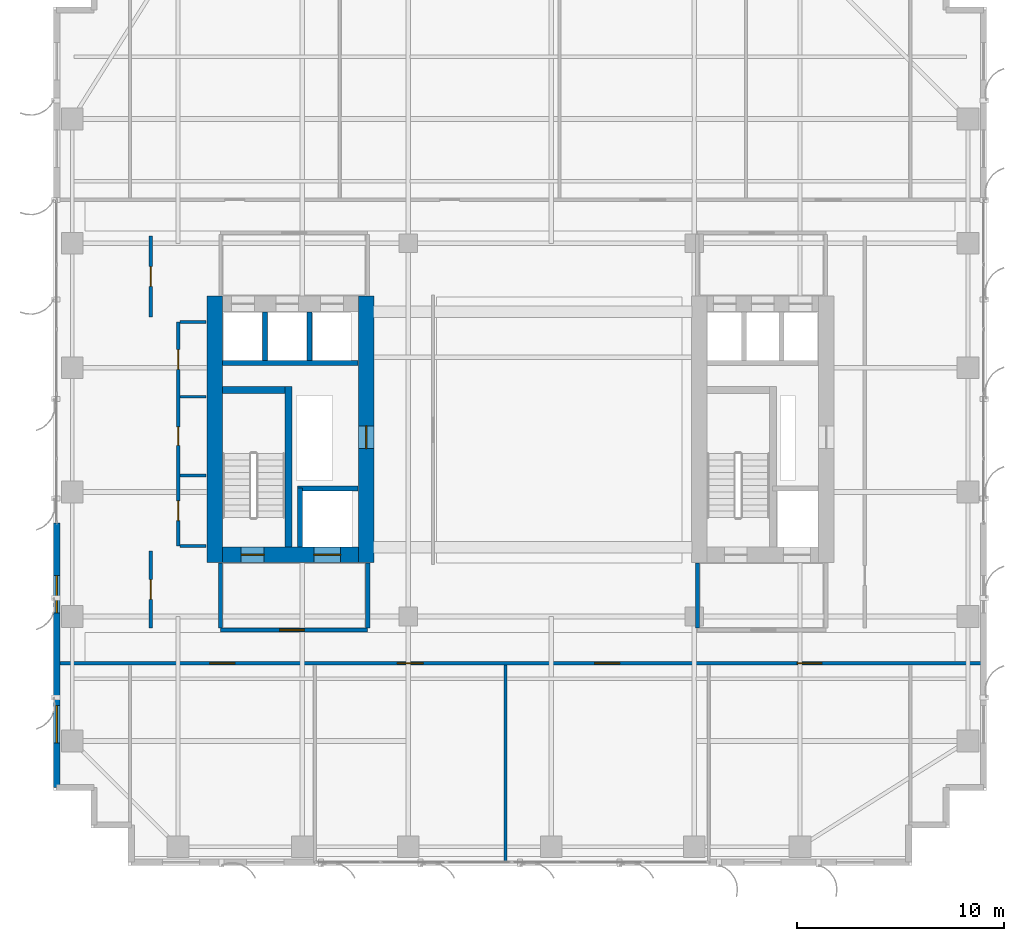
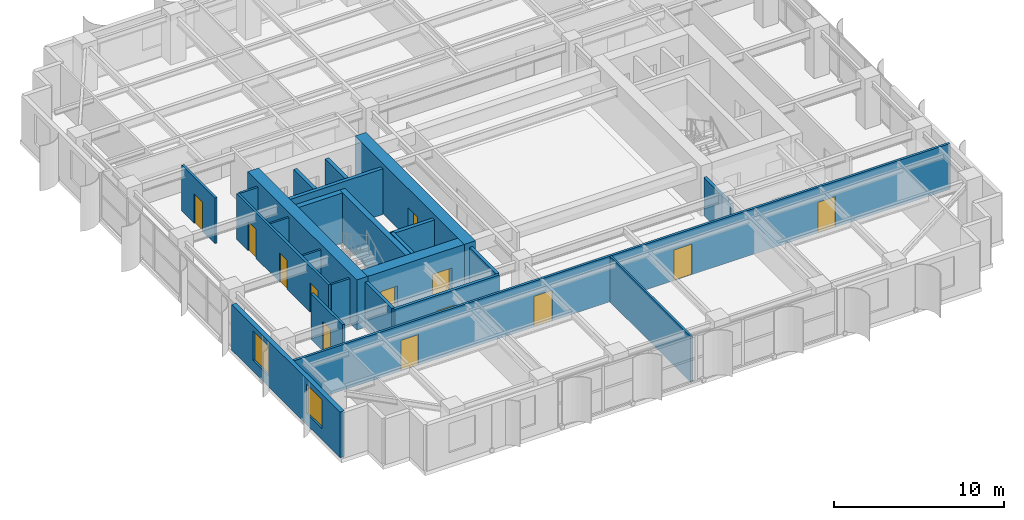
# One storey, part 22 of 28: 24 walls, 13 doors, 2 windows, 15 openings.
"""IFC4 building model written with IfcOpenShell, lengths in metres."""

import ifcopenshell
import ifcopenshell.guid

model = None  # the IFC model being written
_history = None  # IfcOwnerHistory: only IFC2X3 demands one
_inside = {}  # id of a spatial element -> (the spatial element, [elements in it])
_under = {}  # id of a project, library or spatial element -> (it, [spatial elements below it])
_declared = {}  # id of a project -> (the project, [libraries it declares])
_typed = {}  # id of a type object -> (the type object, [elements of that type])
_made_of = {}  # id of a material, layer set ... -> (it, [elements and type objects made of it])


def new_model(schema):
    """Start an empty IFC model of exactly this schema.

    Asked for "IFC4X3", IfcOpenShell would pick the latest addendum, in which some entities
    have other attributes; the version numbers below select the first issue.
    IFC2X3 requires an IfcOwnerHistory on every rooted entity: one is made here for all.
    """
    global model, _history
    if schema == "IFC4X3":
        model = ifcopenshell.file(schema_version=(4, 3, 0, 0))
    else:
        model = ifcopenshell.file(schema=schema)
    _inside.clear()
    _under.clear()
    _declared.clear()
    _typed.clear()
    _made_of.clear()
    _history = None
    if model.schema == "IFC2X3":
        org = make("IfcOrganization", Name="unknown")
        user = make(
            "IfcPersonAndOrganization",
            ThePerson=make("IfcPerson", FamilyName="unknown"),
            TheOrganization=org,
        )
        app = make(
            "IfcApplication",
            ApplicationDeveloper=org,
            Version="unknown",
            ApplicationFullName="unknown",
            ApplicationIdentifier="unknown",
        )
        _history = make(
            "IfcOwnerHistory",
            OwningUser=user,
            OwningApplication=app,
            ChangeAction="ADDED",
            CreationDate=0,
        )
    return model


def make(cls, **values):
    """One entity of the class cls with the attributes given. An attribute that is None is left unset."""
    return model.create_entity(
        cls, **{name: value for name, value in values.items() if value is not None}
    )


def rooted(cls, **values):
    """An entity with a GlobalId (a new one), such as an element, a storey or a relation."""
    return make(cls, GlobalId=ifcopenshell.guid.new(), OwnerHistory=_history, **values)


def si_unit(unit_type, name, prefix=None):
    """IfcSIUnit, for example si_unit("LENGTHUNIT", "METRE", prefix="MILLI")."""
    return make("IfcSIUnit", UnitType=unit_type, Prefix=prefix, Name=name)


def assignment(units):
    """IfcUnitAssignment: the units of a project."""
    return None if units is None else make("IfcUnitAssignment", Units=units)


def point(xyz):
    """IfcCartesianPoint."""
    return None if xyz is None else make("IfcCartesianPoint", Coordinates=xyz)


def direction(xyz):
    """IfcDirection."""
    return None if xyz is None else make("IfcDirection", DirectionRatios=xyz)


def frame(location, z_axis=None, x_axis=None):
    """IfcAxis2Placement3D, a coordinate frame: its origin and axes. An axis left out is left unset."""
    return make(
        "IfcAxis2Placement3D",
        Location=point(location),
        Axis=direction(z_axis),
        RefDirection=direction(x_axis),
    )


def frame_2d(location, x_axis=None):
    """IfcAxis2Placement2D, a coordinate frame in the plane: its origin and x axis."""
    return make(
        "IfcAxis2Placement2D", Location=point(location), RefDirection=direction(x_axis)
    )


def origin():
    """The frame at (0, 0, 0) with its axes left unset."""
    return frame((0.0, 0.0, 0.0))


def place(relative_to, where):
    """IfcLocalPlacement: puts the frame where relative to a parent placement (None: the world)."""
    return make(
        "IfcLocalPlacement", PlacementRelTo=relative_to, RelativePlacement=where
    )


def context(
    kind, dimensions, precision=None, world=None, true_north=None, identifier=None
):
    """IfcGeometricRepresentationContext, for example the 3D "Model" context."""
    return make(
        "IfcGeometricRepresentationContext",
        ContextIdentifier=identifier,
        ContextType=kind,
        CoordinateSpaceDimension=dimensions,
        Precision=precision,
        WorldCoordinateSystem=world,
        TrueNorth=true_north,
    )


def subcontext(parent, identifier, kind, view, scale=None):
    """IfcGeometricRepresentationSubContext, for example "Body" below "Model"."""
    return make(
        "IfcGeometricRepresentationSubContext",
        ContextIdentifier=identifier,
        ContextType=kind,
        ParentContext=parent,
        TargetScale=scale,
        TargetView=view,
    )


def project(units=None, contexts=None):
    """IfcProject with its units and contexts."""
    return rooted(
        "IfcProject",
        Name="project",
        RepresentationContexts=contexts,
        UnitsInContext=assignment(units),
    )


def spatial(cls, under=None, at=None, **own):
    """A site, building, storey or space (cls), placed at a placement, below another one or the project."""
    s = rooted(cls, ObjectPlacement=at, **own)
    if under is not None:
        _under.setdefault(under.id(), (under, []))[1].append(s)
    return s


def profile(cls, at=None, kind="AREA", **sizes):
    """A parametric profile (cls). Its sizes go by their IFC names, for example OverallWidth=200.0."""
    return make(cls, ProfileType=kind, Position=at, **sizes)


def rectangle(**sizes):
    """IfcRectangleProfileDef."""
    return profile("IfcRectangleProfileDef", **sizes)


def extrude(swept, where, along, depth):
    """IfcExtrudedAreaSolid: the profile swept, set in the frame where, extruded along a direction by depth."""
    return make(
        "IfcExtrudedAreaSolid",
        SweptArea=swept,
        Position=where,
        ExtrudedDirection=direction(along),
        Depth=depth,
    )


def shape(context_of_items, identifier, shape_type, items):
    """IfcShapeRepresentation: the items that make up one representation, for example the "Body"."""
    return make(
        "IfcShapeRepresentation",
        ContextOfItems=context_of_items,
        RepresentationIdentifier=identifier,
        RepresentationType=shape_type,
        Items=items,
    )


def source(mapping_origin, context_of_items, identifier, shape_type, items):
    """IfcRepresentationMap: a shape defined once, which mapped items show again and again."""
    return make(
        "IfcRepresentationMap",
        MappingOrigin=mapping_origin,
        MappedRepresentation=shape(context_of_items, identifier, shape_type, items),
    )


def transform(
    local_origin,
    x_axis=None,
    y_axis=None,
    z_axis=None,
    scale=None,
    scale2=None,
    scale3=None,
    uniform=True,
):
    """IfcCartesianTransformationOperator3D, or its non-uniform kind. x_axis, y_axis, z_axis: its Axis1, 2, 3."""
    if uniform:
        return make(
            "IfcCartesianTransformationOperator3D",
            Axis1=direction(x_axis),
            Axis2=direction(y_axis),
            LocalOrigin=point(local_origin),
            Scale=scale,
            Axis3=direction(z_axis),
        )
    return make(
        "IfcCartesianTransformationOperator3DnonUniform",
        Axis1=direction(x_axis),
        Axis2=direction(y_axis),
        LocalOrigin=point(local_origin),
        Scale=scale,
        Axis3=direction(z_axis),
        Scale2=scale2,
        Scale3=scale3,
    )


def mapped(mapping_source, mapping_target):
    """IfcMappedItem: shows the shape of a source again, moved by a transform."""
    return make(
        "IfcMappedItem", MappingSource=mapping_source, MappingTarget=mapping_target
    )


def material(Name=None, Category=None):
    """IfcMaterial."""
    return make("IfcMaterial", Name=Name, Category=Category)


def layer(
    of_material, thickness, ventilated=None, Name=None, Category=None, Priority=None
):
    """IfcMaterialLayer: one layer of a wall or slab, of a material (None: an air gap)."""
    return make(
        "IfcMaterialLayer",
        Material=of_material,
        LayerThickness=thickness,
        IsVentilated=ventilated,
        Name=Name,
        Category=Category,
        Priority=Priority,
    )


def layer_set(layers, Name=None):
    """IfcMaterialLayerSet."""
    return make("IfcMaterialLayerSet", MaterialLayers=layers, LayerSetName=Name)


def made_of(thing, what):
    """Note that an element or type object is made of a material, layer set ...; save() writes the relation."""
    if what is not None:
        _made_of.setdefault(what.id(), (what, []))[1].append(thing)
    return thing


def type_object(cls, material=None, **own):
    """A type object (cls), such as IfcWallType, which elements share."""
    return made_of(rooted(cls, **own), material)


def element(
    cls,
    number,
    at=None,
    inside=None,
    cuts=None,
    type_object=None,
    material=None,
    context=None,
    identifier="Body",
    shape_type=None,
    held_by="IfcProductDefinitionShape",
    body=None,
    shapes=None,
    **own,
):
    """One element of the class cls, such as IfcWall. Its Tag is "e" and its number.

    at: its placement. inside: the storey or other place that contains it. cuts: it is an
    opening in that element (IfcRelVoidsElement). A single representation is given by context,
    identifier, shape_type and body (its items); several are given by shapes. held_by: the class
    of the entity that holds the representations. save() writes the other relations.
    """
    e = rooted(cls, Tag="e%d" % number, ObjectPlacement=at, **own)
    if body is not None:
        shapes = [shape(context, identifier, shape_type, body)]
    if shapes is not None:
        e.Representation = make(held_by, Representations=shapes)
    if inside is not None:
        _inside.setdefault(inside.id(), (inside, []))[1].append(e)
    if cuts is not None:
        rooted(
            "IfcRelVoidsElement", RelatingBuildingElement=cuts, RelatedOpeningElement=e
        )
    if type_object is not None:
        _typed.setdefault(type_object.id(), (type_object, []))[1].append(e)
    return made_of(e, material)


def fill(opening, filler):
    """IfcRelFillsElement: the door or window that sits in an opening."""
    return rooted(
        "IfcRelFillsElement",
        RelatingOpeningElement=opening,
        RelatedBuildingElement=filler,
    )


def aggregate(whole, parts):
    """IfcRelAggregates: a whole, such as a stair, and the parts it consists of."""
    return rooted("IfcRelAggregates", RelatingObject=whole, RelatedObjects=parts)


def save(model, path):
    """Write the relations noted so far, then the file.

    IfcRelAggregates (storeys below a building ...), IfcRelContainedInSpatialStructure (elements
    in a storey), IfcRelDefinesByType, IfcRelAssociatesMaterial and IfcRelDeclares: one each for
    every whole, place, type object, material and project.
    """
    for whole, parts in _under.values():
        aggregate(whole, parts)
    for where, things in _inside.values():
        rooted(
            "IfcRelContainedInSpatialStructure",
            RelatedElements=things,
            RelatingStructure=where,
        )
    for kind, things in _typed.values():
        rooted("IfcRelDefinesByType", RelatedObjects=things, RelatingType=kind)
    for what, things in _made_of.values():
        rooted("IfcRelAssociatesMaterial", RelatedObjects=things, RelatingMaterial=what)
    for by, libraries in _declared.values():
        rooted("IfcRelDeclares", RelatingContext=by, RelatedDefinitions=libraries)
    model.write(path)


model = new_model("IFC4")

# Units and contexts
model_context = context("Model", 3, precision=1e-05, world=origin(), true_north=direction((0.0, 1.0)))
body_context = subcontext(model_context, "Body", "Model", "MODEL_VIEW")
ifc_project = project(units=[si_unit("LENGTHUNIT", "METRE"), si_unit("AREAUNIT", "SQUARE_METRE"), si_unit("VOLUMEUNIT", "CUBIC_METRE"), si_unit("PLANEANGLEUNIT", "RADIAN"), si_unit("MASSUNIT", "GRAM", prefix="KILO")], contexts=[model_context])

# Site, building, storey
site_placement = place(None, origin())
site = spatial("IfcSite", under=ifc_project, at=site_placement, CompositionType="ELEMENT")
building_placement = place(site_placement, origin())
building = spatial("IfcBuilding", under=site, at=building_placement, Name="Khoralis Quay Care Tower", CompositionType="ELEMENT")
storey_placement = place(building_placement, frame((0.0, 0.0, 144.89990234375)))
storey = spatial("IfcBuildingStorey", under=building, at=storey_placement, Name="L38", CompositionType="ELEMENT", Elevation=144.89990234375)

# Wall, opening, door
ifc_material_1 = material(Name="Gypsum plasterboard on acoustic metal stud")
ifc_layer_1 = layer(ifc_material_1, 0.199951171875)
ifc_layer_set_1 = layer_set([ifc_layer_1], Name="Gypsum plasterboard on acoustic metal stud")
wall_type_1 = type_object("IfcWallType", Name="WL-COMP-200", PredefinedType="PARTITIONING", material=ifc_layer_set_1)
wall_1_placement = place(storey_placement, frame((8.050048828125, 11.35009765625, 0.0), z_axis=(0.0, 0.0, 1.0), x_axis=(1.0, 0.0, 0.0)))
wall_1 = element("IfcWall", 1, at=wall_1_placement, inside=storey, type_object=wall_type_1, Name="L38 West Firefighting Lobby South Wall", PredefinedType="PARTITIONING", context=body_context, shape_type="SweptSolid", body=[
    extrude(rectangle(XDim=7.099853515625, YDim=0.199951171875, at=frame_2d((3.5498046875, 0.0))), origin(), (0.0, 0.0, 1.0), 3.280029296875),
])
opening_1_placement = place(wall_1_placement, frame((2.846435546875, 0.0, 0.0)))
opening_1 = element("IfcOpeningElement", 2, at=opening_1_placement, cuts=wall_1, Name="Opening FD1", PredefinedType="OPENING", context=body_context, shape_type="SweptSolid", body=[
    extrude(rectangle(XDim=1.199951171875, YDim=2.199951171875, at=frame_2d((0.60009765625, 1.10009765625))), frame((0.0, 0.10986328125, 0.0), z_axis=(0.0, -1.0, 0.0), x_axis=(1.0, 0.0, 0.0)), (0.0, 0.0, 1.0), 0.219970703125),
])
ifc_material_2 = material(Name="Fire-rated painted steel", Category="steel")
door_type_1 = type_object("IfcDoorType", Name="DR-FFL-1200X2200", OperationType="NOTDEFINED", PredefinedType="DOOR", material=ifc_material_2)
shared_shape_1 = source(origin(), body_context, "Body", "SweptSolid", [
    extrude(rectangle(XDim=1.199951171875, YDim=2.199951171875, at=frame_2d((0.60009765625, 1.10009765625))), frame((0.0, 0.02490234375, 0.0), z_axis=(0.0, -1.0, 0.0), x_axis=(1.0, 0.0, 0.0)), (0.0, 0.0, 1.0), 0.050048828125),
])
door_1_placement = place(opening_1_placement, origin())
door_1 = element("IfcDoor", 3, at=door_1_placement, inside=storey, type_object=door_type_1, Name="L38 West Firefighting Lobby Fire Door", OperationType="SINGLE_SWING_RIGHT", OverallHeight=2.199951171875, OverallWidth=1.199951171875, PredefinedType="DOOR", context=body_context, shape_type="MappedRepresentation", body=[
    mapped(shared_shape_1, transform((0.0, 0.0, 0.0), scale=1.0)),
])
fill(opening_1, door_1)

# Walls
for number, where, z_axis, x_axis, name in (
    (4, (8.050048828125, 11.445068359375, 0.0), (0.0, 0.0, 1.0), (0.0, 1.0, 0.0), "L38 West Firefighting Lobby West Wall"),
    (5, (15.14990234375, 11.445068359375, 0.0), (0.0, 0.0, 1.0), (0.0, 1.0, 0.0), "L38 West Firefighting Lobby East Wall"),
):
    element("IfcWall", number, at=place(storey_placement, frame(where, z_axis=z_axis, x_axis=x_axis)), inside=storey, type_object=wall_type_1, Name=name, PredefinedType="PARTITIONING", context=body_context, shape_type="SweptSolid", body=[
        extrude(rectangle(XDim=3.135009765625, YDim=0.199951171875, at=frame_2d((1.5673828125, 0.0))), origin(), (0.0, 0.0, 1.0), 3.280029296875),
    ])
wall_2_placement = place(storey_placement, frame((31.050048828125, 11.445068359375, 0.0), z_axis=(0.0, 0.0, 1.0), x_axis=(0.0, 1.0, 0.0)))
element("IfcWall", 6, at=wall_2_placement, inside=storey, type_object=wall_type_1, Name="L38 East Firefighting Lobby West Wall", PredefinedType="PARTITIONING", context=body_context, shape_type="SweptSolid", body=[
    extrude(rectangle(XDim=3.135009765625, YDim=0.199951171875, at=frame_2d((1.5673828125, 0.0))), origin(), (0.0, 0.0, 1.0), 2.736083984375),
])
ifc_material_3 = material(Name="Concrete C80/95", Category="concrete")
ifc_layer_2 = layer(ifc_material_3, 0.75)
ifc_layer_set_2 = layer_set([ifc_layer_2], Name="Concrete C80/95")
wall_type_2 = type_object("IfcWallType", Name="WL-CORE-750", PredefinedType="SHEAR", material=ifc_layer_set_2)
wall_3_placement = place(storey_placement, frame((7.77490234375, 14.60009765625, 0.0), z_axis=(0.0, 0.0, 1.0), x_axis=(0.0, 1.0, 0.0)))
element("IfcWall", 7, at=wall_3_placement, inside=storey, type_object=wall_type_2, Name="L38 WCORE West Shear Wall", PredefinedType="SHEAR", context=body_context, shape_type="SweptSolid", body=[
    extrude(rectangle(XDim=12.849853515625, YDim=0.75, at=frame_2d((6.4248046875, 0.0))), origin(), (0.0, 0.0, 1.0), 3.60009765625),
])

# Wall, opening, door
wall_4_placement = place(storey_placement, frame((15.074951171875, 14.60009765625, 0.0), z_axis=(0.0, 0.0, 1.0), x_axis=(0.0, 1.0, 0.0)))
wall_4 = element("IfcWall", 8, at=wall_4_placement, inside=storey, type_object=wall_type_2, Name="L38 WCORE East Shear Wall", PredefinedType="SHEAR", context=body_context, shape_type="SweptSolid", body=[
    extrude(rectangle(XDim=12.849853515625, YDim=0.75, at=frame_2d((6.4248046875, 0.0))), origin(), (0.0, 0.0, 1.0), 3.60009765625),
])
opening_2_placement = place(wall_4_placement, frame((5.5, 0.0, 0.0)))
opening_2 = element("IfcOpeningElement", 9, at=opening_2_placement, cuts=wall_4, Name="Opening SD1", PredefinedType="OPENING", context=body_context, shape_type="SweptSolid", body=[
    extrude(rectangle(XDim=1.10009765625, YDim=2.199951171875, at=frame_2d((0.550048828125, 1.10009765625))), frame((0.0, 0.385009765625, 0.0), z_axis=(0.0, -1.0, 0.0), x_axis=(1.0, 0.0, 0.0)), (0.0, 0.0, 1.0), 0.77001953125),
])
door_type_2 = type_object("IfcDoorType", Name="DR-STAIR-1100X2200", OperationType="NOTDEFINED", PredefinedType="DOOR", material=ifc_material_2)
shared_shape_2 = source(origin(), body_context, "Body", "SweptSolid", [
    extrude(rectangle(XDim=1.10009765625, YDim=2.199951171875, at=frame_2d((0.550048828125, 1.10009765625))), frame((0.0, 0.02490234375, 0.0), z_axis=(0.0, -1.0, 0.0), x_axis=(1.0, 0.0, 0.0)), (0.0, 0.0, 1.0), 0.050048828125),
])
door_2_placement = place(opening_2_placement, origin())
door_2 = element("IfcDoor", 10, at=door_2_placement, inside=storey, type_object=door_type_2, Name="L38 West MEP Riser Door", OperationType="SINGLE_SWING_RIGHT", OverallHeight=2.199951171875, OverallWidth=1.10009765625, PredefinedType="DOOR", context=body_context, shape_type="MappedRepresentation", body=[
    mapped(shared_shape_2, transform((0.0, 0.0, 0.0), scale=1.0)),
])
fill(opening_2, door_2)

# Wall, openings, doors
wall_5_placement = place(storey_placement, frame((8.14990234375, 14.97509765625, 0.0), z_axis=(0.0, 0.0, 1.0), x_axis=(1.0, 0.0, 0.0)))
wall_5 = element("IfcWall", 11, at=wall_5_placement, inside=storey, type_object=wall_type_2, Name="L38 WCORE South Shear Wall", PredefinedType="SHEAR", context=body_context, shape_type="SweptSolid", body=[
    extrude(rectangle(XDim=6.550048828125, YDim=0.75, at=frame_2d((3.27490234375, 0.0))), origin(), (0.0, 0.0, 1.0), 3.60009765625),
])
opening_3_placement = place(wall_5_placement, frame((0.89990234375, 0.0, 0.0)))
opening_3 = element("IfcOpeningElement", 12, at=opening_3_placement, cuts=wall_5, Name="Opening SD1", PredefinedType="OPENING", context=body_context, shape_type="SweptSolid", body=[
    extrude(rectangle(XDim=1.10009765625, YDim=2.199951171875, at=frame_2d((0.550048828125, 1.10009765625))), frame((0.0, 0.385009765625, 0.0), z_axis=(0.0, -1.0, 0.0), x_axis=(1.0, 0.0, 0.0)), (0.0, 0.0, 1.0), 0.77001953125),
])
opening_4_placement = place(wall_5_placement, frame((4.39990234375, 0.0, 0.0)))
opening_4 = element("IfcOpeningElement", 13, at=opening_4_placement, cuts=wall_5, Name="Opening LD2", PredefinedType="OPENING", context=body_context, shape_type="SweptSolid", body=[
    extrude(rectangle(XDim=1.300048828125, YDim=2.199951171875, at=frame_2d((0.64990234375, 1.10009765625))), frame((0.0, 0.385009765625, 0.0), z_axis=(0.0, -1.0, 0.0), x_axis=(1.0, 0.0, 0.0)), (0.0, 0.0, 1.0), 0.77001953125),
])
door_3_placement = place(opening_3_placement, origin())
door_3 = element("IfcDoor", 14, at=door_3_placement, inside=storey, type_object=door_type_2, Name="L38 Stair ST-T1 Fire Door", OperationType="SINGLE_SWING_RIGHT", OverallHeight=2.199951171875, OverallWidth=1.10009765625, PredefinedType="DOOR", context=body_context, shape_type="MappedRepresentation", body=[
    mapped(shared_shape_2, transform((0.0, 0.0, 0.0), scale=1.0)),
])
fill(opening_3, door_3)
ifc_material_4 = material(Name="Brushed stainless steel", Category="steel")
door_type_3 = type_object("IfcDoorType", Name="DR-LIFT-1300X2200", OperationType="SLIDING_TO_RIGHT", PredefinedType="DOOR", material=ifc_material_4)
shared_shape_3 = source(origin(), body_context, "Body", "SweptSolid", [
    extrude(rectangle(XDim=1.300048828125, YDim=2.199951171875, at=frame_2d((0.64990234375, 1.10009765625))), frame((0.0, 0.02490234375, 0.0), z_axis=(0.0, -1.0, 0.0), x_axis=(1.0, 0.0, 0.0)), (0.0, 0.0, 1.0), 0.050048828125),
])
door_4_placement = place(opening_4_placement, origin())
door_4 = element("IfcDoor", 15, at=door_4_placement, inside=storey, type_object=door_type_3, Name="L38 Firefighting Lift FFL-1 Landing Door", OperationType="SLIDING_TO_RIGHT", OverallHeight=2.199951171875, OverallWidth=1.300048828125, PredefinedType="DOOR", context=body_context, shape_type="MappedRepresentation", body=[
    mapped(shared_shape_3, transform((0.0, 0.0, 0.0), scale=1.0)),
])
fill(opening_4, door_4)

ifc_layer_3 = layer(ifc_material_1, 0.1650390625)
ifc_layer_set_3 = layer_set([ifc_layer_3], Name="Gypsum plasterboard on acoustic metal stud")
wall_type_3 = type_object("IfcWallType", Name="WL-CORR-165", PredefinedType="PARTITIONING", material=ifc_layer_set_3)
wall_6_placement = place(storey_placement, frame((6.02001953125, 15.39990234375, 0.0), z_axis=(0.0, 0.0, 1.0), x_axis=(0.0, 1.0, 0.0)))
wall_6 = element("IfcWall", 16, at=wall_6_placement, inside=storey, type_object=wall_type_3, Name="L38 West Core Service Flank Wall", PredefinedType="PARTITIONING", context=body_context, shape_type="SweptSolid", body=[
    extrude(rectangle(XDim=10.800048828125, YDim=0.1650390625, at=frame_2d((5.39990234375, 0.0))), origin(), (0.0, 0.0, 1.0), 3.280029296875),
])
opening_5_placement = place(wall_6_placement, frame((1.22509765625, 0.0, 0.0)))
opening_5 = element("IfcOpeningElement", 17, at=opening_5_placement, cuts=wall_6, Name="Opening ID1", PredefinedType="OPENING", context=body_context, shape_type="SweptSolid", body=[
    extrude(rectangle(XDim=0.949951171875, YDim=2.10009765625, at=frame_2d((0.47509765625, 1.050048828125))), frame((0.0, 0.092529296875, 0.0), z_axis=(0.0, -1.0, 0.0), x_axis=(1.0, 0.0, 0.0)), (0.0, 0.0, 1.0), 0.18505859375),
])
opening_6_placement = place(wall_6_placement, frame((4.85009765625, 0.0, 0.0)))
opening_6 = element("IfcOpeningElement", 18, at=opening_6_placement, cuts=wall_6, Name="Opening WD1", PredefinedType="OPENING", context=body_context, shape_type="SweptSolid", body=[
    extrude(rectangle(XDim=0.89990234375, YDim=2.10009765625, at=frame_2d((0.449951171875, 1.050048828125))), frame((0.0, 0.092529296875, 0.0), z_axis=(0.0, -1.0, 0.0), x_axis=(1.0, 0.0, 0.0)), (0.0, 0.0, 1.0), 0.18505859375),
])
opening_7_placement = place(wall_6_placement, frame((8.52490234375, 0.0, 0.0)))
opening_7 = element("IfcOpeningElement", 19, at=opening_7_placement, cuts=wall_6, Name="Opening ID1", PredefinedType="OPENING", context=body_context, shape_type="SweptSolid", body=[
    extrude(rectangle(XDim=0.949951171875, YDim=2.10009765625, at=frame_2d((0.47509765625, 1.050048828125))), frame((0.0, 0.092529296875, 0.0), z_axis=(0.0, -1.0, 0.0), x_axis=(1.0, 0.0, 0.0)), (0.0, 0.0, 1.0), 0.18505859375),
])
ifc_material_5 = material(Name="Acoustic hardwood timber", Category="wood")
door_type_4 = type_object("IfcDoorType", Name="DR-BATH-900X2100", OperationType="NOTDEFINED", PredefinedType="DOOR", material=ifc_material_5)
shared_shape_4 = source(origin(), body_context, "Body", "SweptSolid", [
    extrude(rectangle(XDim=0.89990234375, YDim=2.10009765625, at=frame_2d((0.449951171875, 1.050048828125))), frame((0.0, 0.02490234375, 0.0), z_axis=(0.0, -1.0, 0.0), x_axis=(1.0, 0.0, 0.0)), (0.0, 0.0, 1.0), 0.050048828125),
])
door_5_placement = place(opening_6_placement, frame((0.89990234375, 0.0, 0.0), z_axis=(0.0, 0.0, 1.0), x_axis=(-1.0, 0.0, 0.0)))
door_5 = element("IfcDoor", 20, at=door_5_placement, inside=storey, type_object=door_type_4, Name="L38 Public Accessible WC Door", OperationType="SINGLE_SWING_RIGHT", OverallHeight=2.10009765625, OverallWidth=0.89990234375, PredefinedType="DOOR", context=body_context, shape_type="MappedRepresentation", body=[
    mapped(shared_shape_4, transform((0.0, 0.0, 0.0), scale=1.0)),
])
fill(opening_6, door_5)
door_type_5 = type_object("IfcDoorType", Name="DR-ROOM-950X2100", OperationType="NOTDEFINED", PredefinedType="DOOR", material=ifc_material_5)
shared_shape_5 = source(origin(), body_context, "Body", "SweptSolid", [
    extrude(rectangle(XDim=0.949951171875, YDim=2.10009765625, at=frame_2d((0.47509765625, 1.050048828125))), frame((0.0, 0.02490234375, 0.0), z_axis=(0.0, -1.0, 0.0), x_axis=(1.0, 0.0, 0.0)), (0.0, 0.0, 1.0), 0.050048828125),
])
door_6_placement = place(opening_5_placement, frame((0.949951171875, 0.0, 0.0), z_axis=(0.0, 0.0, 1.0), x_axis=(-1.0, 0.0, 0.0)))
door_6 = element("IfcDoor", 21, at=door_6_placement, inside=storey, type_object=door_type_5, Name="L38 Clean Utility Store Door", OperationType="SINGLE_SWING_LEFT", OverallHeight=2.10009765625, OverallWidth=0.949951171875, PredefinedType="DOOR", context=body_context, shape_type="MappedRepresentation", body=[
    mapped(shared_shape_5, transform((0.0, 0.0, 0.0), scale=1.0)),
])
fill(opening_5, door_6)
door_7_placement = place(opening_7_placement, frame((0.949951171875, 0.0, 0.0), z_axis=(0.0, 0.0, 1.0), x_axis=(-1.0, 0.0, 0.0)))
door_7 = element("IfcDoor", 22, at=door_7_placement, inside=storey, type_object=door_type_5, Name="L38 Electrical Switchboard Room Door", OperationType="SINGLE_SWING_LEFT", OverallHeight=2.10009765625, OverallWidth=0.949951171875, PredefinedType="DOOR", context=body_context, shape_type="MappedRepresentation", body=[
    mapped(shared_shape_5, transform((0.0, 0.0, 0.0), scale=1.0)),
])
fill(opening_7, door_7)

wall_7_placement = place(storey_placement, frame((0.14501953125, 9.75, 0.0), z_axis=(0.0, 0.0, 1.0), x_axis=(1.0, 0.0, 0.0)))
wall_7 = element("IfcWall", 23, at=wall_7_placement, inside=storey, type_object=wall_type_3, Name="L38 South Gallery Wall", PredefinedType="PARTITIONING", context=body_context, shape_type="SweptSolid", body=[
    extrude(rectangle(XDim=44.7099609375, YDim=0.1650390625, at=frame_2d((22.35498046875, 0.0))), origin(), (0.0, 0.0, 1.0), 3.280029296875),
])
opening_8_placement = place(wall_7_placement, frame((7.39501953125, 0.0, 0.0)))
opening_8 = element("IfcOpeningElement", 24, at=opening_8_placement, cuts=wall_7, Name="Opening FD1", PredefinedType="OPENING", context=body_context, shape_type="SweptSolid", body=[
    extrude(rectangle(XDim=1.199951171875, YDim=2.199951171875, at=frame_2d((0.60009765625, 1.10009765625))), frame((0.0, 0.092529296875, 0.0), z_axis=(0.0, -1.0, 0.0), x_axis=(1.0, 0.0, 0.0)), (0.0, 0.0, 1.0), 0.18505859375),
])
opening_9_placement = place(wall_7_placement, frame((16.429931640625, 0.0, 0.0)))
opening_9 = element("IfcOpeningElement", 25, at=opening_9_placement, cuts=wall_7, Name="Opening CD1", PredefinedType="OPENING", context=body_context, shape_type="SweptSolid", body=[
    extrude(rectangle(XDim=1.25, YDim=2.199951171875, at=frame_2d((0.625, 1.10009765625))), frame((0.0, 0.092529296875, 0.0), z_axis=(0.0, -1.0, 0.0), x_axis=(1.0, 0.0, 0.0)), (0.0, 0.0, 1.0), 0.18505859375),
])
opening_10_placement = place(wall_7_placement, frame((25.955078125, 0.0, 0.0)))
opening_10 = element("IfcOpeningElement", 26, at=opening_10_placement, cuts=wall_7, Name="Opening FD1", PredefinedType="OPENING", context=body_context, shape_type="SweptSolid", body=[
    extrude(rectangle(XDim=1.199951171875, YDim=2.199951171875, at=frame_2d((0.60009765625, 1.10009765625))), frame((0.0, 0.092529296875, 0.0), z_axis=(0.0, -1.0, 0.0), x_axis=(1.0, 0.0, 0.0)), (0.0, 0.0, 1.0), 0.18505859375),
])
opening_11_placement = place(wall_7_placement, frame((35.715087890625, 0.0, 0.0)))
opening_11 = element("IfcOpeningElement", 27, at=opening_11_placement, cuts=wall_7, Name="Opening FD1", PredefinedType="OPENING", context=body_context, shape_type="SweptSolid", body=[
    extrude(rectangle(XDim=1.199951171875, YDim=2.199951171875, at=frame_2d((0.60009765625, 1.10009765625))), frame((0.0, 0.092529296875, 0.0), z_axis=(0.0, -1.0, 0.0), x_axis=(1.0, 0.0, 0.0)), (0.0, 0.0, 1.0), 0.18505859375),
])
door_8_placement = place(opening_8_placement, frame((1.199951171875, 0.0, 0.0), z_axis=(0.0, 0.0, 1.0), x_axis=(-1.0, 0.0, 0.0)))
door_8 = element("IfcDoor", 28, at=door_8_placement, inside=storey, type_object=door_type_1, Name="L38 Senior Wellness Pharmacy Shop Door", OperationType="DOUBLE_DOOR_SINGLE_SWING", OverallHeight=2.199951171875, OverallWidth=1.199951171875, PredefinedType="DOOR", context=body_context, shape_type="MappedRepresentation", body=[
    mapped(shared_shape_1, transform((0.0, 0.0, 0.0), scale=1.0)),
])
fill(opening_8, door_8)
door_9_placement = place(opening_10_placement, frame((1.199951171875, 0.0, 0.0), z_axis=(0.0, 0.0, 1.0), x_axis=(-1.0, 0.0, 0.0)))
door_9 = element("IfcDoor", 29, at=door_9_placement, inside=storey, type_object=door_type_1, Name="L38 Assisted Communal Dining Room Door", OperationType="DOUBLE_DOOR_SINGLE_SWING", OverallHeight=2.199951171875, OverallWidth=1.199951171875, PredefinedType="DOOR", context=body_context, shape_type="MappedRepresentation", body=[
    mapped(shared_shape_1, transform((0.0, 0.0, 0.0), scale=1.0)),
])
fill(opening_10, door_9)
door_10_placement = place(opening_11_placement, frame((1.199951171875, 0.0, 0.0), z_axis=(0.0, 0.0, 1.0), x_axis=(-1.0, 0.0, 0.0)))
door_10 = element("IfcDoor", 30, at=door_10_placement, inside=storey, type_object=door_type_1, Name="L38 Resident Communal Day Lounge Door", OperationType="DOUBLE_DOOR_SINGLE_SWING", OverallHeight=2.199951171875, OverallWidth=1.199951171875, PredefinedType="DOOR", context=body_context, shape_type="MappedRepresentation", body=[
    mapped(shared_shape_1, transform((0.0, 0.0, 0.0), scale=1.0)),
])
fill(opening_11, door_10)
door_type_6 = type_object("IfcDoorType", Name="DR-CARE-1250X2200", OperationType="NOTDEFINED", PredefinedType="DOOR", material=ifc_material_5)
shared_shape_6 = source(origin(), body_context, "Body", "SweptSolid", [
    extrude(rectangle(XDim=1.25, YDim=2.199951171875, at=frame_2d((0.625, 1.10009765625))), frame((0.0, 0.02490234375, 0.0), z_axis=(0.0, -1.0, 0.0), x_axis=(1.0, 0.0, 0.0)), (0.0, 0.0, 1.0), 0.050048828125),
])
door_11_placement = place(opening_9_placement, frame((1.25, 0.0, 0.0), z_axis=(0.0, 0.0, 1.0), x_axis=(-1.0, 0.0, 0.0)))
door_11 = element("IfcDoor", 31, at=door_11_placement, inside=storey, type_object=door_type_6, Name="L38 Geriatric Consultation Clinic Door", OperationType="SINGLE_SWING_LEFT", OverallHeight=2.199951171875, OverallWidth=1.25, PredefinedType="DOOR", context=body_context, shape_type="MappedRepresentation", body=[
    mapped(shared_shape_6, transform((0.0, 0.0, 0.0), scale=1.0)),
])
fill(opening_9, door_11)

# Wall, opening, door
wall_8_placement = place(storey_placement, frame((4.679931640625, 11.449951171875, 0.0), z_axis=(0.0, 0.0, 1.0), x_axis=(0.0, 1.0, 0.0)))
wall_8 = element("IfcWall", 32, at=wall_8_placement, inside=storey, type_object=wall_type_3, Name="L38 West Sky Lounge South Wall", PredefinedType="PARTITIONING", context=body_context, shape_type="SweptSolid", body=[
    extrude(rectangle(XDim=3.699951171875, YDim=0.1650390625, at=frame_2d((1.85009765625, 0.0))), origin(), (0.0, 0.0, 1.0), 3.280029296875),
])
opening_12_placement = place(wall_8_placement, frame((1.375, 0.0, 0.0)))
opening_12 = element("IfcOpeningElement", 33, at=opening_12_placement, cuts=wall_8, Name="Opening ID1", PredefinedType="OPENING", context=body_context, shape_type="SweptSolid", body=[
    extrude(rectangle(XDim=0.949951171875, YDim=2.10009765625, at=frame_2d((0.47509765625, 1.050048828125))), frame((0.0, 0.092529296875, 0.0), z_axis=(0.0, -1.0, 0.0), x_axis=(1.0, 0.0, 0.0)), (0.0, 0.0, 1.0), 0.18505859375),
])
door_12_placement = place(opening_12_placement, frame((0.949951171875, 0.0, 0.0), z_axis=(0.0, 0.0, 1.0), x_axis=(-1.0, 0.0, 0.0)))
door_12 = element("IfcDoor", 34, at=door_12_placement, inside=storey, type_object=door_type_5, Name="L38 West Sky Lounge Door", OperationType="SINGLE_SWING_LEFT", OverallHeight=2.10009765625, OverallWidth=0.949951171875, PredefinedType="DOOR", context=body_context, shape_type="MappedRepresentation", body=[
    mapped(shared_shape_5, transform((0.0, 0.0, 0.0), scale=1.0)),
])
fill(opening_12, door_12)

wall_9_placement = place(storey_placement, frame((4.679931640625, 26.449951171875, 0.0), z_axis=(0.0, 0.0, 1.0), x_axis=(0.0, 1.0, 0.0)))
wall_9 = element("IfcWall", 35, at=wall_9_placement, inside=storey, type_object=wall_type_3, Name="L38 West Sky Lounge North Wall", PredefinedType="PARTITIONING", context=body_context, shape_type="SweptSolid", body=[
    extrude(rectangle(XDim=3.900146484375, YDim=0.1650390625, at=frame_2d((1.9501953125, 0.0))), origin(), (0.0, 0.0, 1.0), 3.280029296875),
])
opening_13_placement = place(wall_9_placement, frame((1.47509765625, 0.0, 0.0)))
opening_13 = element("IfcOpeningElement", 36, at=opening_13_placement, cuts=wall_9, Name="Opening ID1", PredefinedType="OPENING", context=body_context, shape_type="SweptSolid", body=[
    extrude(rectangle(XDim=0.949951171875, YDim=2.10009765625, at=frame_2d((0.47509765625, 1.050048828125))), frame((0.0, 0.092529296875, 0.0), z_axis=(0.0, -1.0, 0.0), x_axis=(1.0, 0.0, 0.0)), (0.0, 0.0, 1.0), 0.18505859375),
])
door_13_placement = place(opening_13_placement, frame((0.949951171875, 0.0, 0.0), z_axis=(0.0, 0.0, 1.0), x_axis=(-1.0, 0.0, 0.0)))
door_13 = element("IfcDoor", 37, at=door_13_placement, inside=storey, type_object=door_type_5, Name="L38 West Sky Salon Door", OperationType="SINGLE_SWING_RIGHT", OverallHeight=2.10009765625, OverallWidth=0.949951171875, PredefinedType="DOOR", context=body_context, shape_type="MappedRepresentation", body=[
    mapped(shared_shape_5, transform((0.0, 0.0, 0.0), scale=1.0)),
])
fill(opening_13, door_13)

# Wall, openings, windows
ifc_material_6 = material(Name="Precast concrete C45/55", Category="concrete")
ifc_layer_4 = layer(ifc_material_6, 0.300048828125)
ifc_layer_set_4 = layer_set([ifc_layer_4], Name="Precast concrete C45/55")
wall_type_4 = type_object("IfcWallType", Name="WL-EXT-REF-300", PredefinedType="SOLIDWALL", material=ifc_layer_set_4)
wall_10_placement = place(storey_placement, frame((0.14990234375, 16.5, 0.0), z_axis=(0.0, 0.0, 1.0), x_axis=(0.0, -1.0, 0.0)))
wall_10 = element("IfcWall", 38, at=wall_10_placement, inside=storey, type_object=wall_type_4, Name="L38 External Facade Wall WL-EXT-L38-P1-E15B", PredefinedType="SOLIDWALL", context=body_context, shape_type="SweptSolid", body=[
    extrude(rectangle(XDim=12.75, YDim=0.300048828125, at=frame_2d((6.375, 0.0))), origin(), (0.0, 0.0, 1.0), 3.280029296875),
])
opening_14_placement = place(wall_10_placement, frame((2.52490234375, 0.0, 0.800048828125)))
opening_14 = element("IfcOpeningElement", 39, at=opening_14_placement, cuts=wall_10, Name="Opening W2", PredefinedType="OPENING", context=body_context, shape_type="SweptSolid", body=[
    extrude(rectangle(XDim=1.800048828125, YDim=2.10009765625, at=frame_2d((0.89990234375, 1.050048828125))), frame((0.0, 0.16015625, 0.0), z_axis=(0.0, -1.0, 0.0), x_axis=(1.0, 0.0, 0.0)), (0.0, 0.0, 1.0), 0.320068359375),
])
opening_15_placement = place(wall_10_placement, frame((8.800048828125, 0.0, 0.800048828125)))
opening_15 = element("IfcOpeningElement", 40, at=opening_15_placement, cuts=wall_10, Name="Opening W2", PredefinedType="OPENING", context=body_context, shape_type="SweptSolid", body=[
    extrude(rectangle(XDim=1.800048828125, YDim=2.10009765625, at=frame_2d((0.89990234375, 1.050048828125))), frame((0.0, 0.16015625, 0.0), z_axis=(0.0, -1.0, 0.0), x_axis=(1.0, 0.0, 0.0)), (0.0, 0.0, 1.0), 0.320068359375),
])
ifc_material_7 = material(Name="Low-E solar-control double glazing", Category="glass")
window_type = type_object("IfcWindowType", Name="WN-POD-1800X2100", PartitioningType="SINGLE_PANEL", PredefinedType="WINDOW", material=ifc_material_7)
shared_shape_7 = source(origin(), body_context, "Body", "SweptSolid", [
    extrude(rectangle(XDim=1.800048828125, YDim=2.10009765625, at=frame_2d((0.89990234375, 1.050048828125))), frame((0.0, 0.030029296875, 0.0), z_axis=(0.0, -1.0, 0.0), x_axis=(1.0, 0.0, 0.0)), (0.0, 0.0, 1.0), 0.06005859375),
])
window_1_placement = place(opening_14_placement, origin())
window_1 = element("IfcWindow", 41, at=window_1_placement, inside=storey, type_object=window_type, Name="WN-L38-P1-E15B Facade Window 01", OverallHeight=2.10009765625, OverallWidth=1.800048828125, PartitioningType="SINGLE_PANEL", PredefinedType="WINDOW", context=body_context, shape_type="MappedRepresentation", body=[
    mapped(shared_shape_7, transform((0.0, 0.0, 0.0), scale=1.0)),
])
fill(opening_14, window_1)
window_2_placement = place(opening_15_placement, origin())
window_2 = element("IfcWindow", 42, at=window_2_placement, inside=storey, type_object=window_type, Name="WN-L38-P1-E15B Facade Window 02", OverallHeight=2.10009765625, OverallWidth=1.800048828125, PartitioningType="SINGLE_PANEL", PredefinedType="WINDOW", context=body_context, shape_type="MappedRepresentation", body=[
    mapped(shared_shape_7, transform((0.0, 0.0, 0.0), scale=1.0)),
])
fill(opening_15, window_2)

# Walls
ifc_material_8 = material(Name="Moisture-resistant gypsum and ceramic tile")
ifc_layer_5 = layer(ifc_material_8, 0.280029296875)
ifc_layer_set_5 = layer_set([ifc_layer_5], Name="Moisture-resistant gypsum and ceramic tile")
wall_type_5 = type_object("IfcWallType", Name="WL-PLUMB-280", PredefinedType="PLUMBINGWALL", material=ifc_layer_set_5)
wall_11_placement = place(storey_placement, frame((6.097412109375, 18.800048828125, 0.0), z_axis=(0.0, 0.0, 1.0), x_axis=(1.0, 0.0, 0.0)))
element("IfcWall", 43, at=wall_11_placement, inside=storey, type_object=wall_type_5, Name="L38 West Flank Divider 1", PredefinedType="PLUMBINGWALL", context=body_context, shape_type="SweptSolid", body=[
    extrude(rectangle(XDim=1.2626953125, YDim=0.139892578125, at=frame_2d((0.63134765625, 0.0))), origin(), (0.0, 0.0, 1.0), 3.280029296875),
])
ifc_material_9 = material(Name="Concrete C40/50", Category="concrete")
ifc_layer_6 = layer(ifc_material_9, 0.35009765625)
ifc_layer_set_6 = layer_set([ifc_layer_6], Name="Concrete C40/50")
wall_type_6 = type_object("IfcWallType", Name="WL-SC-CORE-350", PredefinedType="SHEAR", material=ifc_layer_set_6)
wall_12_placement = place(storey_placement, frame((11.324951171875, 15.35009765625, 0.0), z_axis=(0.0, 0.0, 1.0), x_axis=(0.0, 1.0, 0.0)))
element("IfcWall", 44, at=wall_12_placement, inside=storey, type_object=wall_type_6, Name="L38 Stair ST-T1 Shear Baffle Wall East", PredefinedType="SHEAR", context=body_context, shape_type="SweptSolid", body=[
    extrude(rectangle(XDim=7.75, YDim=0.35009765625, at=frame_2d((3.875, 0.0))), origin(), (0.0, 0.0, 1.0), 3.60009765625),
])
wall_13_placement = place(storey_placement, frame((8.14990234375, 22.925048828125, 0.0), z_axis=(0.0, 0.0, 1.0), x_axis=(1.0, 0.0, 0.0)))
element("IfcWall", 45, at=wall_13_placement, inside=storey, type_object=wall_type_6, Name="L38 Stair ST-T1 Shear Baffle Wall North", PredefinedType="SHEAR", context=body_context, shape_type="SweptSolid", body=[
    extrude(rectangle(XDim=3.0, YDim=0.35009765625, at=frame_2d((1.5, 0.0))), origin(), (0.0, 0.0, 1.0), 3.60009765625),
])
ifc_layer_7 = layer(ifc_material_1, 0.239990234375)
ifc_layer_set_7 = layer_set([ifc_layer_7], Name="Gypsum plasterboard on acoustic metal stud")
wall_type_7 = type_object("IfcWallType", Name="WL-SHAFT-240", PredefinedType="PARTITIONING", material=ifc_layer_set_7)
wall_14_placement = place(storey_placement, frame((11.8798828125, 15.35009765625, 0.0), z_axis=(0.0, 0.0, 1.0), x_axis=(0.0, 1.0, 0.0)))
element("IfcWall", 46, at=wall_14_placement, inside=storey, type_object=wall_type_7, Name="L38 FFL-1 Shaft Wall West", PredefinedType="PARTITIONING", context=body_context, shape_type="SweptSolid", body=[
    extrude(rectangle(XDim=2.849853515625, YDim=0.239990234375, at=frame_2d((1.4248046875, 0.0))), origin(), (0.0, 0.0, 1.0), 3.280029296875),
])
wall_15_placement = place(storey_placement, frame((11.760009765625, 18.169921875, 0.0), z_axis=(0.0, 0.0, 1.0), x_axis=(1.0, 0.0, 0.0)))
element("IfcWall", 47, at=wall_15_placement, inside=storey, type_object=wall_type_7, Name="L38 FFL-1 Shaft Wall North", PredefinedType="PARTITIONING", context=body_context, shape_type="SweptSolid", body=[
    extrude(rectangle(XDim=2.919921875, YDim=0.239990234375, at=frame_2d((1.4599609375, 0.0))), origin(), (0.0, 0.0, 1.0), 3.280029296875),
])
wall_16_placement = place(storey_placement, frame((8.14990234375, 24.22998046875, 0.0), z_axis=(0.0, 0.0, 1.0), x_axis=(1.0, 0.0, 0.0)))
element("IfcWall", 48, at=wall_16_placement, inside=storey, type_object=wall_type_7, Name="L38 West Passenger Shaft South Wall", PredefinedType="PARTITIONING", context=body_context, shape_type="SweptSolid", body=[
    extrude(rectangle(XDim=6.530029296875, YDim=0.239990234375, at=frame_2d((3.26513671875, 0.0))), origin(), (0.0, 0.0, 1.0), 3.280029296875),
])
for number, where, z_axis, x_axis, name in (
    (49, (10.199951171875, 24.344970703125, 0.0), (0.0, 0.0, 1.0), (0.0, 1.0, 0.0), "L38 West Shaft Divider 1"),
    (50, (12.35009765625, 24.344970703125, 0.0), (0.0, 0.0, 1.0), (0.0, 1.0, 0.0), "L38 West Shaft Divider 2"),
):
    element("IfcWall", number, at=place(storey_placement, frame(where, z_axis=z_axis, x_axis=x_axis)), inside=storey, type_object=wall_type_7, Name=name, PredefinedType="PARTITIONING", context=body_context, shape_type="SweptSolid", body=[
        extrude(rectangle(XDim=2.3349609375, YDim=0.239990234375, at=frame_2d((1.16748046875, 0.0))), origin(), (0.0, 0.0, 1.0), 3.280029296875),
    ])
ifc_layer_8 = layer(ifc_material_1, 0.139892578125)
ifc_layer_set_8 = layer_set([ifc_layer_8], Name="Gypsum plasterboard on acoustic metal stud")
wall_type_8 = type_object("IfcWallType", Name="WL-UNIT-140", PredefinedType="PARTITIONING", material=ifc_layer_set_8)
for number, where, z_axis, x_axis, name in (
    (51, (6.097412109375, 15.39990234375, 0.0), (0.0, 0.0, 1.0), (1.0, 0.0, 0.0), "L38 West Flank South Cap"),
    (52, (6.097412109375, 26.199951171875, 0.0), (0.0, 0.0, 1.0), (1.0, 0.0, 0.0), "L38 West Flank North Cap"),
    (53, (6.097412109375, 22.60009765625, 0.0), (0.0, 0.0, 1.0), (1.0, 0.0, 0.0), "L38 West Flank Divider 2"),
):
    element("IfcWall", number, at=place(storey_placement, frame(where, z_axis=z_axis, x_axis=x_axis)), inside=storey, type_object=wall_type_8, Name=name, PredefinedType="PARTITIONING", context=body_context, shape_type="SweptSolid", body=[
        extrude(rectangle(XDim=1.2626953125, YDim=0.139892578125, at=frame_2d((0.63134765625, 0.0))), origin(), (0.0, 0.0, 1.0), 3.280029296875),
    ])
wall_17_placement = place(storey_placement, frame((21.800048828125, 0.14501953125, 0.0), z_axis=(0.0, 0.0, 1.0), x_axis=(0.0, 1.0, 0.0)))
element("IfcWall", 54, at=wall_17_placement, inside=storey, type_object=wall_type_8, Name="L38 SB Demising Wall 2", PredefinedType="PARTITIONING", context=body_context, shape_type="SweptSolid", body=[
    extrude(rectangle(XDim=9.527587890625, YDim=0.139892578125, at=frame_2d((4.763671875, 0.0))), origin(), (0.0, 0.0, 1.0), 3.280029296875),
])

save(model, "model.ifc")
